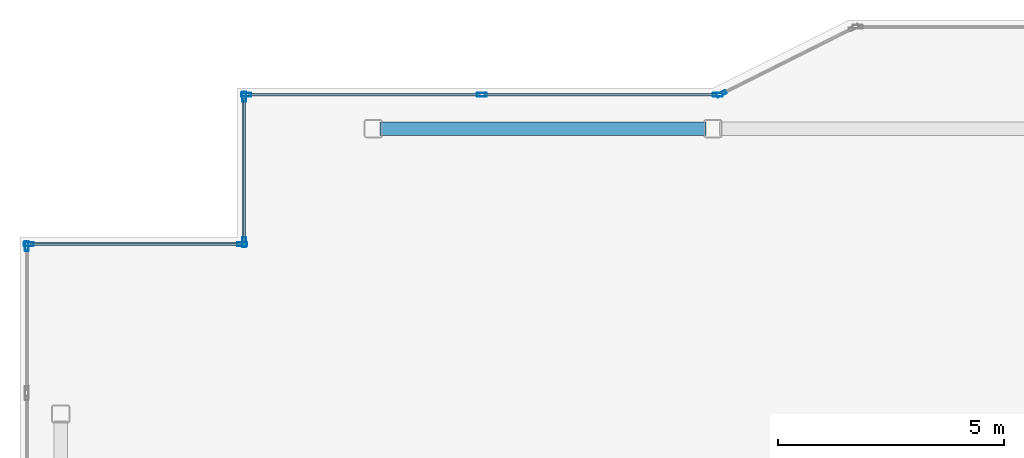
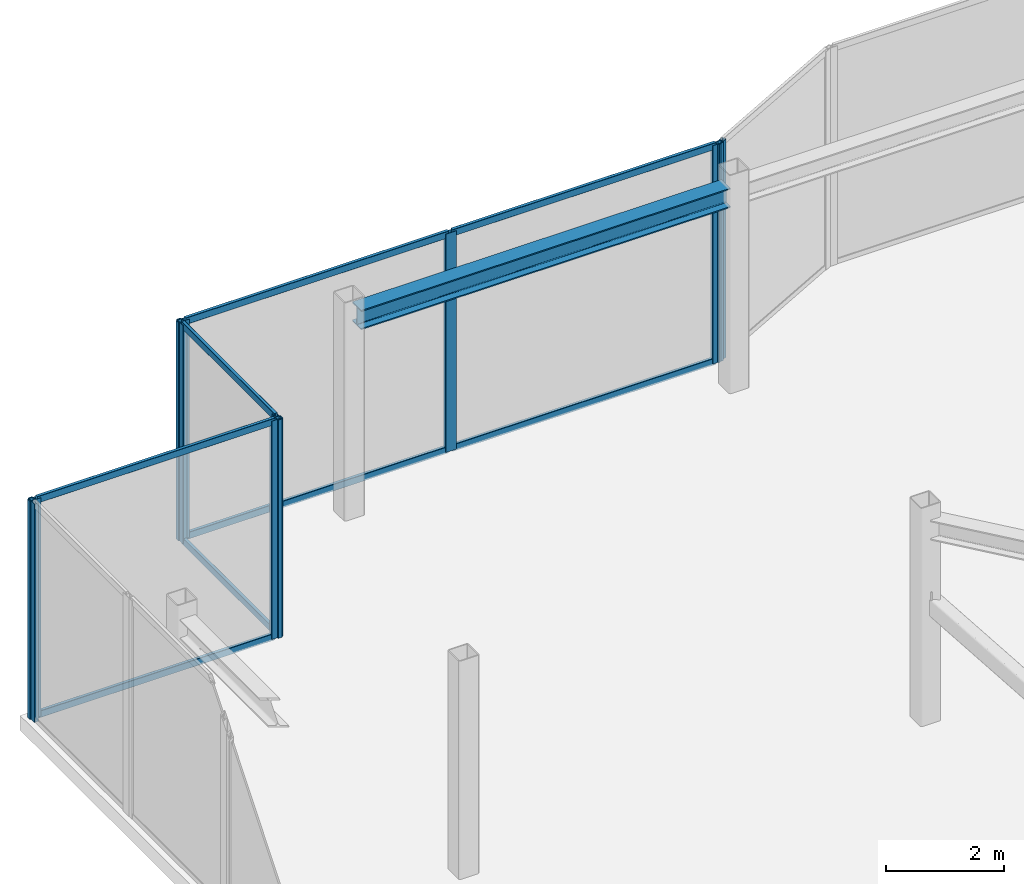
# One storey, part 9 of 15: 17 members, 1 beam, 5 elements without a shape of their own.
"""IFC4 building model written with IfcOpenShell, lengths in metres."""

from ifc_helpers import new_model, si_unit, direction, frame, origin, origin_2d, place, context, subcontext, project, spatial, hollow_rectangle, i_section, extrude, material, layer, layer_set, material_profile, profile_set, type_object, element, aggregate, save


model = new_model("IFC4")

# Units and contexts
model_context = context("Model", 3, precision=1e-05, world=origin(), true_north=direction((0.0, 1.0)))
body_context = subcontext(model_context, "Body", "Model", "MODEL_VIEW")
ifc_project = project(units=[si_unit("LENGTHUNIT", "METRE"), si_unit("AREAUNIT", "SQUARE_METRE"), si_unit("VOLUMEUNIT", "CUBIC_METRE"), si_unit("PLANEANGLEUNIT", "RADIAN"), si_unit("MASSUNIT", "GRAM", prefix="KILO")], contexts=[model_context])

# Site, building, storey
site_placement = place(None, origin())
site = spatial("IfcSite", under=ifc_project, at=site_placement, CompositionType="ELEMENT")
building_placement = place(site_placement, origin())
building = spatial("IfcBuilding", under=site, at=building_placement, Name="Tarnavaz Court Tower", CompositionType="ELEMENT")
storey_placement = place(building_placement, frame((0.0, 0.0, 295.050048828125)))
storey = spatial("IfcBuildingStorey", under=building, at=storey_placement, Name="C04", CompositionType="ELEMENT", Elevation=295.050048828125)

# Beam
ifc_material_1 = material(Name="Steel S355", Category="steel")
ifc_material_profile_1 = material_profile(ifc_material_1, i_section(OverallWidth=0.300048828125, OverallDepth=0.39990234375, WebThickness=0.013427734375, FlangeThickness=0.02392578125, FilletRadius=0.027099609375, at=origin_2d()), Name="HEB 400")
ifc_profile_set_1 = profile_set([ifc_material_profile_1], Name="Steel S355")
beam_type = type_object("IfcBeamType", Name="BM-G-HEB400", PredefinedType="USERDEFINED", material=ifc_profile_set_1)
beam_placement = place(storey_placement, frame((-14.85009765625, 20.10009765625, 4.0), z_axis=(1.0, 0.0, 0.0), x_axis=(0.0, 1.0, 0.0)))
element("IfcBeam", 1, at=beam_placement, inside=storey, type_object=beam_type, Name="C04 Beam CRG-PN-1-PN-2", ObjectType="GIRDER", PredefinedType="USERDEFINED", context=body_context, shape_type="SweptSolid", body=[
    extrude(i_section(OverallWidth=0.300048828125, OverallDepth=0.39990234375, WebThickness=0.013427734375, FlangeThickness=0.02392578125, FilletRadius=0.027099609375, at=origin_2d()), origin(), (0.0, 0.0, 1.0), 7.2001953125),
])

# Curtain wall, members
ifc_material_2 = material(Name="Anodised Aluminium 6063-T6 and Solar Low-E Glazing", Category="aluminium")
ifc_layer = layer(ifc_material_2, 0.2099609375)
ifc_layer_set = layer_set([ifc_layer], Name="Anodised Aluminium 6063-T6 and Solar Low-E Glazing")
curtain_wall_type = type_object("IfcCurtainWallType", Name="CW-SYS-06", PredefinedType="NOTDEFINED", material=ifc_layer_set)
curtain_wall_1_placement = place(storey_placement, origin())
curtain_wall_1 = element("IfcCurtainWall", 2, at=curtain_wall_1_placement, inside=storey, type_object=curtain_wall_type, Name="C04 Slanted Crown Terracotta Curtain Wall 1", PredefinedType="NOTDEFINED")
ifc_material_3 = material(Name="Anodised Aluminium 6063-T6", Category="aluminium")
ifc_material_profile_2 = material_profile(ifc_material_3, hollow_rectangle(XDim=0.0849609375, YDim=0.219970703125, WallThickness=0.006103515625, InnerFilletRadius=0.006103515625, OuterFilletRadius=0.011962890625, at=origin_2d()), Name="ALU RHS 220X85X6")
ifc_profile_set_2 = profile_set([ifc_material_profile_2], Name="Anodised Aluminium 6063-T6")
member_type_1 = type_object("IfcMemberType", Name="CW-MUL-220", PredefinedType="MULLION", material=ifc_profile_set_2)
member_1_placement = place(storey_placement, frame((-22.607421875, 17.550048828125, 0.0), z_axis=(0.0, 0.0, 1.0), x_axis=(0.0, 1.0, 0.0)))
member_1 = element("IfcMember", 3, at=member_1_placement, type_object=member_type_1, Name="CW mullion 1", PredefinedType="MULLION", context=body_context, shape_type="SweptSolid", body=[
    extrude(hollow_rectangle(XDim=0.0849609375, YDim=0.219970703125, WallThickness=0.006103515625, InnerFilletRadius=0.006103515625, OuterFilletRadius=0.011962890625, at=origin_2d()), origin(), (0.0, 0.0, 1.0), 4.5),
])
member_2_placement = place(storey_placement, frame((-17.892578125, 17.550048828125, 0.0), z_axis=(0.0, 0.0, 1.0), x_axis=(0.0, 1.0, 0.0)))
member_2 = element("IfcMember", 4, at=member_2_placement, type_object=member_type_1, Name="CW mullion 2", PredefinedType="MULLION", context=body_context, shape_type="SweptSolid", body=[
    extrude(hollow_rectangle(XDim=0.0849609375, YDim=0.219970703125, WallThickness=0.006103515625, InnerFilletRadius=0.006103515625, OuterFilletRadius=0.011962890625, at=origin_2d()), origin(), (0.0, 0.0, 1.0), 4.5),
])

curtain_wall_2_placement = place(storey_placement, origin())
curtain_wall_2 = element("IfcCurtainWall", 5, at=curtain_wall_2_placement, inside=storey, type_object=curtain_wall_type, Name="C04 Slanted Crown Terracotta Curtain Wall 2", PredefinedType="NOTDEFINED")
member_3_placement = place(storey_placement, frame((-17.85009765625, 17.592529296875, 0.0), z_axis=(0.0, 0.0, 1.0), x_axis=(-1.0, 0.0, 0.0)))
member_3 = element("IfcMember", 6, at=member_3_placement, type_object=member_type_1, Name="CW mullion 1", PredefinedType="MULLION", context=body_context, shape_type="SweptSolid", body=[
    extrude(hollow_rectangle(XDim=0.0849609375, YDim=0.219970703125, WallThickness=0.006103515625, InnerFilletRadius=0.006103515625, OuterFilletRadius=0.011962890625, at=origin_2d()), origin(), (0.0, 0.0, 1.0), 4.5),
])
member_4_placement = place(storey_placement, frame((-17.85009765625, 20.8076171875, 0.0), z_axis=(0.0, 0.0, 1.0), x_axis=(-1.0, 0.0, 0.0)))
member_4 = element("IfcMember", 7, at=member_4_placement, type_object=member_type_1, Name="CW mullion 2", PredefinedType="MULLION", context=body_context, shape_type="SweptSolid", body=[
    extrude(hollow_rectangle(XDim=0.0849609375, YDim=0.219970703125, WallThickness=0.006103515625, InnerFilletRadius=0.006103515625, OuterFilletRadius=0.011962890625, at=origin_2d()), origin(), (0.0, 0.0, 1.0), 4.5),
])

curtain_wall_3_placement = place(storey_placement, origin())
curtain_wall_3 = element("IfcCurtainWall", 8, at=curtain_wall_3_placement, inside=storey, type_object=curtain_wall_type, Name="C04 Slanted Crown Terracotta Curtain Wall 3", PredefinedType="NOTDEFINED")
member_5_placement = place(storey_placement, frame((-17.8076171875, 20.85009765625, 0.0), z_axis=(0.0, 0.0, 1.0), x_axis=(0.0, 1.0, 0.0)))
member_5 = element("IfcMember", 9, at=member_5_placement, type_object=member_type_1, Name="CW mullion 1", PredefinedType="MULLION", context=body_context, shape_type="SweptSolid", body=[
    extrude(hollow_rectangle(XDim=0.0849609375, YDim=0.219970703125, WallThickness=0.006103515625, InnerFilletRadius=0.006103515625, OuterFilletRadius=0.011962890625, at=origin_2d()), origin(), (0.0, 0.0, 1.0), 4.5),
])
member_6_placement = place(storey_placement, frame((-12.60009765625, 20.85009765625, 0.0), z_axis=(0.0, 0.0, 1.0), x_axis=(0.0, 1.0, 0.0)))
member_6 = element("IfcMember", 10, at=member_6_placement, type_object=member_type_1, Name="CW mullion 2", PredefinedType="MULLION", context=body_context, shape_type="SweptSolid", body=[
    extrude(hollow_rectangle(XDim=0.0849609375, YDim=0.219970703125, WallThickness=0.006103515625, InnerFilletRadius=0.006103515625, OuterFilletRadius=0.011962890625, at=origin_2d()), origin(), (0.0, 0.0, 1.0), 4.5),
])
member_7_placement = place(storey_placement, frame((-7.392578125, 20.85009765625, 0.0), z_axis=(0.0, 0.0, 1.0), x_axis=(0.0, 1.0, 0.0)))
member_7 = element("IfcMember", 11, at=member_7_placement, type_object=member_type_1, Name="CW mullion 3", PredefinedType="MULLION", context=body_context, shape_type="SweptSolid", body=[
    extrude(hollow_rectangle(XDim=0.0849609375, YDim=0.219970703125, WallThickness=0.006103515625, InnerFilletRadius=0.006103515625, OuterFilletRadius=0.011962890625, at=origin_2d()), origin(), (0.0, 0.0, 1.0), 4.5),
])

# Curtain wall, member
curtain_wall_4_placement = place(storey_placement, origin())
curtain_wall_4 = element("IfcCurtainWall", 12, at=curtain_wall_4_placement, inside=storey, type_object=curtain_wall_type, Name="C04 Slanted Crown Terracotta Curtain Wall 4", PredefinedType="NOTDEFINED")
member_8_placement = place(storey_placement, frame((-7.31201171875, 20.868896484375, 0.0), z_axis=(0.0, 0.0, 1.0), x_axis=(-0.447213595499, 0.894427191001, 0.0)))
member_8 = element("IfcMember", 13, at=member_8_placement, type_object=member_type_1, Name="CW mullion 1", PredefinedType="MULLION", context=body_context, shape_type="SweptSolid", body=[
    extrude(hollow_rectangle(XDim=0.0849609375, YDim=0.219970703125, WallThickness=0.006103515625, InnerFilletRadius=0.006103515625, OuterFilletRadius=0.011962890625, at=origin_2d()), origin(), (0.0, 0.0, 1.0), 4.5),
])
aggregate(curtain_wall_4, [member_8])

curtain_wall_5_placement = place(storey_placement, origin())
curtain_wall_5 = element("IfcCurtainWall", 14, at=curtain_wall_5_placement, inside=storey, type_object=curtain_wall_type, Name="C04 Slanted Crown Terracotta Curtain Wall 29", PredefinedType="NOTDEFINED")
member_9_placement = place(storey_placement, frame((-22.64990234375, 17.507568359375, 0.0), z_axis=(0.0, 0.0, 1.0), x_axis=(-1.0, 0.0, 0.0)))
member_9 = element("IfcMember", 15, at=member_9_placement, type_object=member_type_1, Name="CW mullion 2", PredefinedType="MULLION", context=body_context, shape_type="SweptSolid", body=[
    extrude(hollow_rectangle(XDim=0.0849609375, YDim=0.219970703125, WallThickness=0.006103515625, InnerFilletRadius=0.006103515625, OuterFilletRadius=0.011962890625, at=origin_2d()), origin(), (0.0, 0.0, 1.0), 4.5),
])
aggregate(curtain_wall_5, [member_9])

# Member
ifc_material_profile_3 = material_profile(ifc_material_3, hollow_rectangle(XDim=0.06494140625, YDim=0.139892578125, WallThickness=0.00390625, InnerFilletRadius=0.00390625, OuterFilletRadius=0.008056640625, at=origin_2d()), Name="ALU RHS 140X65X4")
ifc_profile_set_3 = profile_set([ifc_material_profile_3], Name="Anodised Aluminium 6063-T6")
member_type_2 = type_object("IfcMemberType", Name="CW-TRN-140", PredefinedType="USERDEFINED", material=ifc_profile_set_3)
member_10_placement = place(storey_placement, frame((-22.56494140625, 17.550048828125, 0.032470703125), z_axis=(1.0, 0.0, 0.0), x_axis=(0.0, 1.0, 0.0)))
member_10 = element("IfcMember", 16, at=member_10_placement, type_object=member_type_2, Name="CW transom 1.1", ObjectType="TRANSOM", PredefinedType="USERDEFINED", context=body_context, shape_type="SweptSolid", body=[
    extrude(hollow_rectangle(XDim=0.06494140625, YDim=0.139892578125, WallThickness=0.00390625, InnerFilletRadius=0.00390625, OuterFilletRadius=0.008056640625, at=origin_2d()), origin(), (0.0, 0.0, 1.0), 4.6298828125),
])

member_11_placement = place(storey_placement, frame((-22.56494140625, 17.550048828125, 4.467529296875), z_axis=(1.0, 0.0, 0.0), x_axis=(0.0, 1.0, 0.0)))
member_11 = element("IfcMember", 17, at=member_11_placement, type_object=member_type_2, Name="CW transom 1.2", ObjectType="TRANSOM", PredefinedType="USERDEFINED", context=body_context, shape_type="SweptSolid", body=[
    extrude(hollow_rectangle(XDim=0.06494140625, YDim=0.139892578125, WallThickness=0.00390625, InnerFilletRadius=0.00390625, OuterFilletRadius=0.008056640625, at=origin_2d()), origin(), (0.0, 0.0, 1.0), 4.6298828125),
])

aggregate(curtain_wall_1, [member_1, member_2, member_10, member_11])

member_12_placement = place(storey_placement, frame((-17.85009765625, 17.635009765625, 0.032470703125), z_axis=(0.0, 1.0, 0.0), x_axis=(-1.0, 0.0, 0.0)))
member_12 = element("IfcMember", 18, at=member_12_placement, type_object=member_type_2, Name="CW transom 1.1", ObjectType="TRANSOM", PredefinedType="USERDEFINED", context=body_context, shape_type="SweptSolid", body=[
    extrude(hollow_rectangle(XDim=0.06494140625, YDim=0.139892578125, WallThickness=0.00390625, InnerFilletRadius=0.00390625, OuterFilletRadius=0.008056640625, at=origin_2d()), origin(), (0.0, 0.0, 1.0), 3.1298828125),
])

member_13_placement = place(storey_placement, frame((-17.85009765625, 17.635009765625, 4.467529296875), z_axis=(0.0, 1.0, 0.0), x_axis=(-1.0, 0.0, 0.0)))
member_13 = element("IfcMember", 19, at=member_13_placement, type_object=member_type_2, Name="CW transom 1.2", ObjectType="TRANSOM", PredefinedType="USERDEFINED", context=body_context, shape_type="SweptSolid", body=[
    extrude(hollow_rectangle(XDim=0.06494140625, YDim=0.139892578125, WallThickness=0.00390625, InnerFilletRadius=0.00390625, OuterFilletRadius=0.008056640625, at=origin_2d()), origin(), (0.0, 0.0, 1.0), 3.1298828125),
])

aggregate(curtain_wall_2, [member_3, member_4, member_12, member_13])

member_14_placement = place(storey_placement, frame((-17.764892578125, 20.85009765625, 0.032470703125), z_axis=(1.0, 0.0, 0.0), x_axis=(0.0, 1.0, 0.0)))
member_14 = element("IfcMember", 20, at=member_14_placement, type_object=member_type_2, Name="CW transom 1.1", ObjectType="TRANSOM", PredefinedType="USERDEFINED", context=body_context, shape_type="SweptSolid", body=[
    extrude(hollow_rectangle(XDim=0.06494140625, YDim=0.139892578125, WallThickness=0.00390625, InnerFilletRadius=0.00390625, OuterFilletRadius=0.008056640625, at=origin_2d()), origin(), (0.0, 0.0, 1.0), 5.122314453125),
])

member_15_placement = place(storey_placement, frame((-17.764892578125, 20.85009765625, 4.467529296875), z_axis=(1.0, 0.0, 0.0), x_axis=(0.0, 1.0, 0.0)))
member_15 = element("IfcMember", 21, at=member_15_placement, type_object=member_type_2, Name="CW transom 1.2", ObjectType="TRANSOM", PredefinedType="USERDEFINED", context=body_context, shape_type="SweptSolid", body=[
    extrude(hollow_rectangle(XDim=0.06494140625, YDim=0.139892578125, WallThickness=0.00390625, InnerFilletRadius=0.00390625, OuterFilletRadius=0.008056640625, at=origin_2d()), origin(), (0.0, 0.0, 1.0), 5.122314453125),
])

member_16_placement = place(storey_placement, frame((-12.5576171875, 20.85009765625, 0.032470703125), z_axis=(1.0, 0.0, 0.0), x_axis=(0.0, 1.0, 0.0)))
member_16 = element("IfcMember", 22, at=member_16_placement, type_object=member_type_2, Name="CW transom 2.1", ObjectType="TRANSOM", PredefinedType="USERDEFINED", context=body_context, shape_type="SweptSolid", body=[
    extrude(hollow_rectangle(XDim=0.06494140625, YDim=0.139892578125, WallThickness=0.00390625, InnerFilletRadius=0.00390625, OuterFilletRadius=0.008056640625, at=origin_2d()), origin(), (0.0, 0.0, 1.0), 5.12255859375),
])

member_17_placement = place(storey_placement, frame((-12.5576171875, 20.85009765625, 4.467529296875), z_axis=(1.0, 0.0, 0.0), x_axis=(0.0, 1.0, 0.0)))
member_17 = element("IfcMember", 23, at=member_17_placement, type_object=member_type_2, Name="CW transom 2.2", ObjectType="TRANSOM", PredefinedType="USERDEFINED", context=body_context, shape_type="SweptSolid", body=[
    extrude(hollow_rectangle(XDim=0.06494140625, YDim=0.139892578125, WallThickness=0.00390625, InnerFilletRadius=0.00390625, OuterFilletRadius=0.008056640625, at=origin_2d()), origin(), (0.0, 0.0, 1.0), 5.12255859375),
])

aggregate(curtain_wall_3, [member_5, member_6, member_7, member_14, member_15, member_16, member_17])

save(model, "model.ifc")
